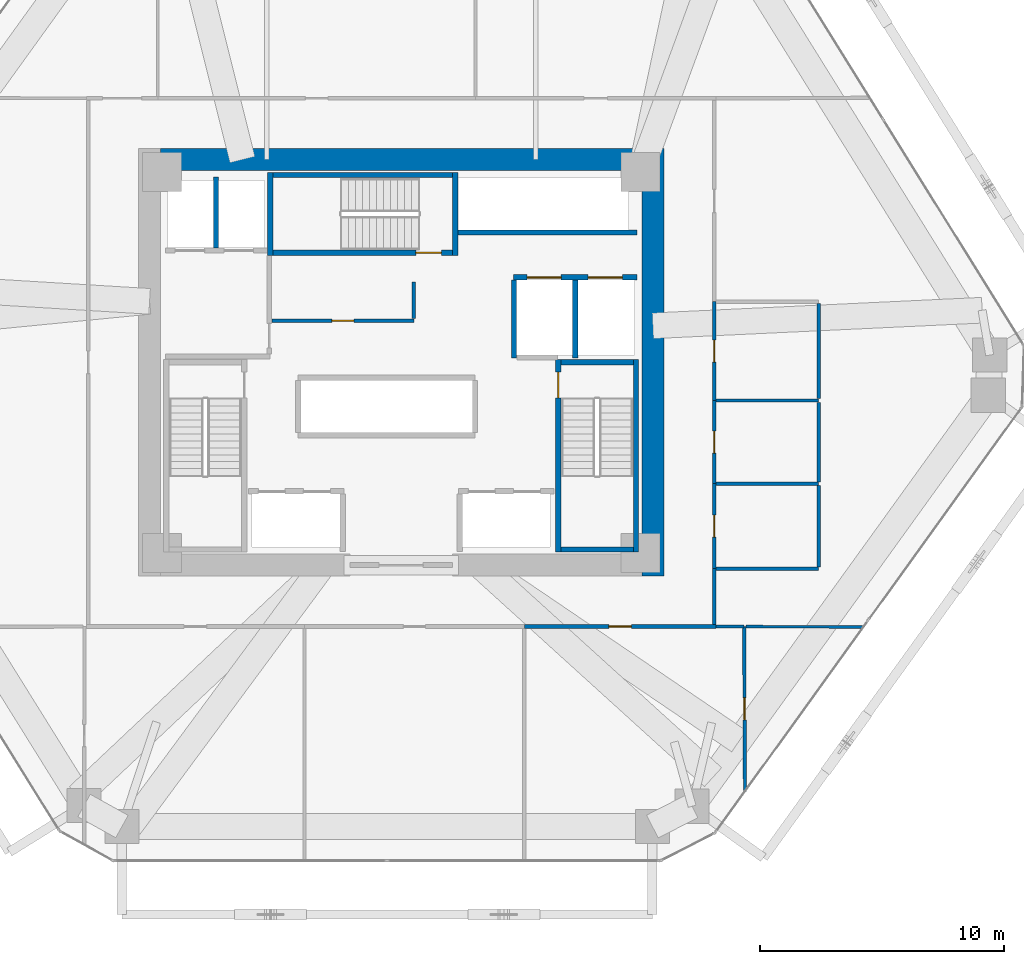
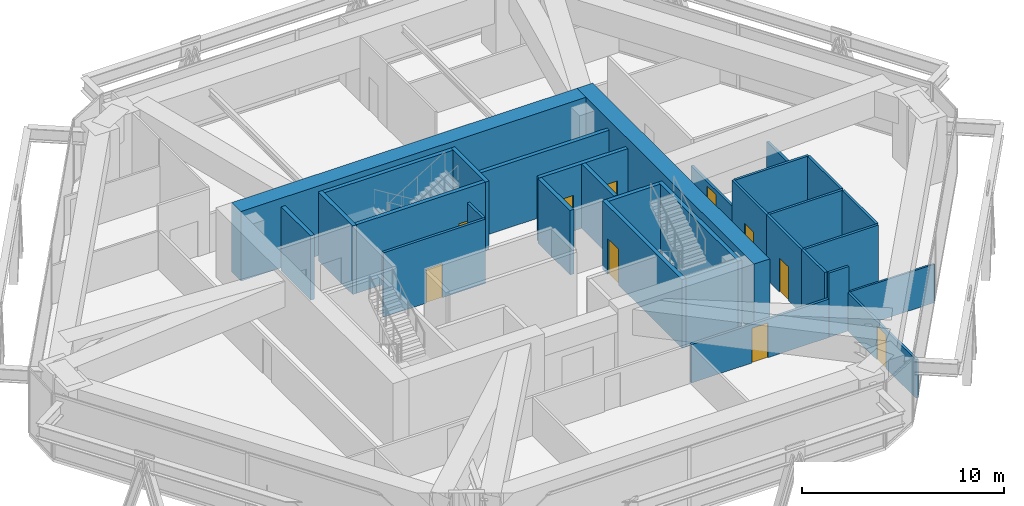
# One storey, part 14 of 16: 31 walls, 10 doors, 10 openings.
"""IFC4 building model written with IfcOpenShell, lengths in metres."""

from ifc_helpers import new_model, si_unit, direction, frame, frame_2d, origin, place, context, subcontext, project, spatial, rectangle, extrude, source, transform, mapped, material, layer, layer_set, type_object, type_shapes, element, fill, save


model = new_model("IFC4")

# Units and contexts
model_context = context("Model", 3, precision=1e-05, world=origin(), true_north=direction((0.0, 1.0)))
body_context = subcontext(model_context, "Body", "Model", "MODEL_VIEW")
ifc_project = project(units=[si_unit("LENGTHUNIT", "METRE"), si_unit("AREAUNIT", "SQUARE_METRE"), si_unit("VOLUMEUNIT", "CUBIC_METRE"), si_unit("PLANEANGLEUNIT", "RADIAN"), si_unit("MASSUNIT", "GRAM", prefix="KILO")], contexts=[model_context])

# Site, building, storey
site_placement = place(None, origin())
site = spatial("IfcSite", under=ifc_project, at=site_placement, CompositionType="ELEMENT")
building_placement = place(site_placement, origin())
building = spatial("IfcBuilding", under=site, at=building_placement, Name="Durnholm Broadcast Tower", CompositionType="ELEMENT")
storey_placement = place(building_placement, frame((0.0, 0.0, 84.300048828125)))
storey = spatial("IfcBuildingStorey", under=building, at=storey_placement, Name="L22", CompositionType="ELEMENT", Elevation=84.300048828125)

# Walls
ifc_material_1 = material(Name="Concrete C70/85", Category="concrete")
ifc_layer_1 = layer(ifc_material_1, 0.89990234375)
ifc_layer_set_1 = layer_set([ifc_layer_1], Name="Concrete C70/85")
wall_type_1 = type_object("IfcWallType", Name="WALL-CW-900", PredefinedType="SHEAR", material=ifc_layer_set_1)
wall_1_placement = place(storey_placement, frame((10.300048828125, -8.75, 0.0), z_axis=(0.0, 0.0, 1.0), x_axis=(0.0, 1.0, 0.0)))
element("IfcWall", 1, at=wall_1_placement, inside=storey, type_object=wall_type_1, Name="L22 central core shear wall CW-EAST", PredefinedType="SHEAR", context=body_context, shape_type="SweptSolid", body=[
    extrude(rectangle(XDim=17.5, YDim=0.89990234375, at=frame_2d((8.75, 0.0))), origin(), (0.0, 0.0, 1.0), 4.199951171875),
])
wall_2_placement = place(storey_placement, frame((-9.85009765625, 8.300048828125, 0.0), z_axis=(0.0, 0.0, 1.0), x_axis=(1.0, 0.0, 0.0)))
element("IfcWall", 2, at=wall_2_placement, inside=storey, type_object=wall_type_1, Name="L22 central core shear wall CW-N", PredefinedType="SHEAR", context=body_context, shape_type="SweptSolid", body=[
    extrude(rectangle(XDim=19.7001953125, YDim=0.89990234375, at=frame_2d((9.85009765625, 0.0))), origin(), (0.0, 0.0, 1.0), 4.199951171875),
])
ifc_material_2 = material(Name="Operable Acoustic Panel Partition", Category="aluminium")
ifc_layer_2 = layer(ifc_material_2, 0.110107421875)
ifc_layer_set_2 = layer_set([ifc_layer_2], Name="Operable Acoustic Panel Partition")
wall_type_2 = type_object("IfcWallType", Name="WALL-MOV-110", PredefinedType="MOVABLE", material=ifc_layer_set_2)
wall_3_placement = place(storey_placement, frame((14.111572265625, -10.810791015625, 0.0), z_axis=(0.0, 0.0, 1.0), x_axis=(0.999988860545, -0.004720040808, 0.0)))
element("IfcWall", 3, at=wall_3_placement, inside=storey, type_object=wall_type_2, Name="L22 room dividing partition 14.16", PredefinedType="MOVABLE", context=body_context, shape_type="SweptSolid", body=[
    extrude(rectangle(XDim=4.810302734375, YDim=0.110107421875, at=frame_2d((2.4052734375, 0.0))), origin(), (0.0, 0.0, 1.0), 2.320068359375),
])

# Wall, opening, door
ifc_material_3 = material(Name="Gypsum Metal Stud Partition", Category="concrete")
ifc_layer_3 = layer(ifc_material_3, 0.135009765625)
ifc_layer_set_3 = layer_set([ifc_layer_3], Name="Gypsum Metal Stud Partition")
wall_type_3 = type_object("IfcWallType", Name="WALL-PART-135", PredefinedType="PARTITIONING", material=ifc_layer_set_3)
wall_4_placement = place(storey_placement, frame((14.0400390625, -10.81005859375, 0.0), z_axis=(0.0, 0.0, 1.0), x_axis=(0.004810766872, -0.999988428194, 0.0)))
wall_4 = element("IfcWall", 4, at=wall_4_placement, inside=storey, type_object=wall_type_3, Name="L22 room dividing partition 13.14", PredefinedType="PARTITIONING", context=body_context, shape_type="SweptSolid", body=[
    extrude(rectangle(XDim=6.74951171875, YDim=0.135009765625, at=frame_2d((3.374755859375, 0.0))), origin(), (0.0, 0.0, 1.0), 2.320068359375),
])
opening_1_placement = place(wall_4_placement, frame((2.9248046875, 0.0, 0.0)))
opening_1 = element("IfcOpeningElement", 5, at=opening_1_placement, cuts=wall_4, Name="Opening DW-90L", PredefinedType="OPENING", context=body_context, shape_type="SweptSolid", body=[
    extrude(rectangle(XDim=0.89990234375, YDim=2.050048828125, at=frame_2d((0.449951171875, 1.02490234375))), frame((0.0, 0.07763671875, 0.0), z_axis=(0.0, -1.0, 0.0), x_axis=(1.0, 0.0, 0.0)), (0.0, 0.0, 1.0), 0.155029296875),
])
ifc_material_4 = material(Name="Laminate Restroom Door", Category="steel")
ifc_layer_4 = layer(ifc_material_4, 0.050048828125)
ifc_layer_set_4 = layer_set([ifc_layer_4], Name="Laminate Restroom Door")
door_type_1 = type_object("IfcDoorType", Name="DOOR-WC-900L", OperationType="NOTDEFINED", PredefinedType="DOOR", material=ifc_layer_set_4)
shared_shape_1 = source(origin(), body_context, "Body", "SweptSolid", [
    extrude(rectangle(XDim=0.89990234375, YDim=2.050048828125, at=frame_2d((0.449951171875, 1.02490234375))), frame((0.0, 0.02490234375, 0.0), z_axis=(0.0, -1.0, 0.0), x_axis=(1.0, 0.0, 0.0)), (0.0, 0.0, 1.0), 0.050048828125),
])
type_shapes(door_type_1, [shared_shape_1])
door_1_placement = place(opening_1_placement, origin())
door_1 = element("IfcDoor", 6, at=door_1_placement, inside=storey, type_object=door_type_1, Name="L22 Remote Feed Meeting Room connecting door", OperationType="SINGLE_SWING_LEFT", OverallHeight=2.050048828125, OverallWidth=0.89990234375, PredefinedType="DOOR", context=body_context, shape_type="MappedRepresentation", body=[
    mapped(shared_shape_1, transform((0.0, 0.0, 0.0), x_axis=(1.0, 0.0, 0.0), y_axis=(0.0, 1.0, 0.0), z_axis=(0.0, 0.0, 1.0), scale=1.0)),
])
fill(opening_1, door_1)

# Wall
wall_5_placement = place(storey_placement, frame((12.889892578125, -10.81005859375, 0.0), z_axis=(0.0, 0.0, 1.0), x_axis=(1.0, 0.0, 0.0)))
element("IfcWall", 7, at=wall_5_placement, inside=storey, type_object=wall_type_3, Name="L22 room dividing partition 13.16", PredefinedType="PARTITIONING", context=body_context, shape_type="SweptSolid", body=[
    extrude(rectangle(XDim=1.150146484375, YDim=0.135009765625, at=frame_2d((0.5751953125, 0.0))), origin(), (0.0, 0.0, 1.0), 3.885009765625),
])

# Wall, opening, door
ifc_material_5 = material(Name="Acoustic Gypsum Stud Partition", Category="concrete")
ifc_layer_5 = layer(ifc_material_5, 0.14990234375)
ifc_layer_set_5 = layer_set([ifc_layer_5], Name="Acoustic Gypsum Stud Partition")
wall_type_4 = type_object("IfcWallType", Name="WALL-PART-150", PredefinedType="PARTITIONING", material=ifc_layer_set_5)
wall_6_placement = place(storey_placement, frame((0.52001953125, 1.7099609375, 0.0), z_axis=(0.0, 0.0, 1.0), x_axis=(-1.0, 0.0, 0.0)))
wall_6 = element("IfcWall", 8, at=wall_6_placement, inside=storey, type_object=wall_type_4, Name="L22 Core Housekeeping Room corridor partition", PredefinedType="PARTITIONING", context=body_context, shape_type="SweptSolid", body=[
    extrude(rectangle(XDim=5.81591796875, YDim=0.14990234375, at=frame_2d((2.907958984375, 0.0))), origin(), (0.0, 0.0, 1.0), 3.885009765625),
])
opening_2_placement = place(wall_6_placement, frame((2.4580078125, 0.0, 0.0)))
opening_2 = element("IfcOpeningElement", 9, at=opening_2_placement, cuts=wall_6, Name="Opening DC-60R", PredefinedType="OPENING", context=body_context, shape_type="SweptSolid", body=[
    extrude(rectangle(XDim=0.89990234375, YDim=2.050048828125, at=frame_2d((0.449951171875, 1.02490234375))), frame((0.0, 0.0849609375, 0.0), z_axis=(0.0, -1.0, 0.0), x_axis=(1.0, 0.0, 0.0)), (0.0, 0.0, 1.0), 0.169921875),
])
ifc_material_6 = material(Name="Fire-Rated Core Service Door", Category="steel")
ifc_layer_6 = layer(ifc_material_6, 0.050048828125)
ifc_layer_set_6 = layer_set([ifc_layer_6], Name="Fire-Rated Core Service Door")
door_type_2 = type_object("IfcDoorType", Name="DOOR-CORE-FD60-R", OperationType="NOTDEFINED", PredefinedType="DOOR", material=ifc_layer_set_6)
shared_shape_2 = source(origin(), body_context, "Body", "SweptSolid", [
    extrude(rectangle(XDim=0.89990234375, YDim=2.050048828125, at=frame_2d((0.449951171875, 1.02490234375))), frame((0.0, 0.02490234375, 0.0), z_axis=(0.0, -1.0, 0.0), x_axis=(1.0, 0.0, 0.0)), (0.0, 0.0, 1.0), 0.050048828125),
])
type_shapes(door_type_2, [shared_shape_2])
door_2_placement = place(opening_2_placement, origin())
door_2 = element("IfcDoor", 10, at=door_2_placement, inside=storey, type_object=door_type_2, Name="L22 Core Housekeeping Room entrance door", OperationType="SINGLE_SWING_RIGHT", OverallHeight=2.050048828125, OverallWidth=0.89990234375, PredefinedType="DOOR", context=body_context, shape_type="MappedRepresentation", body=[
    mapped(shared_shape_2, transform((0.0, 0.0, 0.0), x_axis=(1.0, 0.0, 0.0), y_axis=(0.0, 1.0, 0.0), z_axis=(0.0, 0.0, 1.0), scale=1.0)),
])
fill(opening_2, door_2)

# Wall
wall_7_placement = place(storey_placement, frame((0.52001953125, 3.300048828125, 0.0), z_axis=(0.0, 0.0, 1.0), x_axis=(0.0, -1.0, 0.0)))
element("IfcWall", 11, at=wall_7_placement, inside=storey, type_object=wall_type_4, Name="L22 Core Housekeeping Room corridor partition", PredefinedType="PARTITIONING", context=body_context, shape_type="SweptSolid", body=[
    extrude(rectangle(XDim=1.510986328125, YDim=0.14990234375, at=frame_2d((0.75537109375, 0.0))), origin(), (0.0, 0.0, 1.0), 3.885009765625),
])

# Wall, opening, door
wall_8_placement = place(storey_placement, frame((5.0400390625, -10.81005859375, 0.0), z_axis=(0.0, 0.0, 1.0), x_axis=(1.0, 0.0, 0.0)))
wall_8 = element("IfcWall", 12, at=wall_8_placement, inside=storey, type_object=wall_type_4, Name="L22 Open Plan Broadcast Workspace 4 corridor partition", PredefinedType="PARTITIONING", context=body_context, shape_type="SweptSolid", body=[
    extrude(rectangle(XDim=7.849853515625, YDim=0.14990234375, at=frame_2d((3.9248046875, 0.0))), origin(), (0.0, 0.0, 1.0), 2.320068359375),
])
opening_3_placement = place(wall_8_placement, frame((3.465087890625, 0.0, 0.0)))
opening_3 = element("IfcOpeningElement", 13, at=opening_3_placement, cuts=wall_8, Name="Opening DR-92L", PredefinedType="OPENING", context=body_context, shape_type="SweptSolid", body=[
    extrude(rectangle(XDim=0.919921875, YDim=2.10009765625, at=frame_2d((0.4599609375, 1.050048828125))), frame((0.0, 0.0849609375, 0.0), z_axis=(0.0, -1.0, 0.0), x_axis=(1.0, 0.0, 0.0)), (0.0, 0.0, 1.0), 0.169921875),
])
ifc_material_7 = material(Name="Oak Veneer Office Door", Category="wood")
ifc_layer_7 = layer(ifc_material_7, 0.050048828125)
ifc_layer_set_7 = layer_set([ifc_layer_7], Name="Oak Veneer Office Door")
door_type_3 = type_object("IfcDoorType", Name="DOOR-RM-920L", OperationType="NOTDEFINED", PredefinedType="DOOR", material=ifc_layer_set_7)
shared_shape_3 = source(origin(), body_context, "Body", "SweptSolid", [
    extrude(rectangle(XDim=0.919921875, YDim=2.10009765625, at=frame_2d((0.4599609375, 1.050048828125))), frame((0.0, 0.02490234375, 0.0), z_axis=(0.0, -1.0, 0.0), x_axis=(1.0, 0.0, 0.0)), (0.0, 0.0, 1.0), 0.050048828125),
])
type_shapes(door_type_3, [shared_shape_3])
door_3_placement = place(opening_3_placement, origin())
door_3 = element("IfcDoor", 14, at=door_3_placement, inside=storey, type_object=door_type_3, Name="L22 Open Plan Broadcast Workspace 4 entrance door", OperationType="SINGLE_SWING_LEFT", OverallHeight=2.10009765625, OverallWidth=0.919921875, PredefinedType="DOOR", context=body_context, shape_type="MappedRepresentation", body=[
    mapped(shared_shape_3, transform((0.0, 0.0, 0.0), x_axis=(1.0, 0.0, 0.0), y_axis=(0.0, 1.0, 0.0), z_axis=(0.0, 0.0, 1.0), scale=1.0)),
])
fill(opening_3, door_3)

# Walls
wall_9_placement = place(storey_placement, frame((12.81005859375, -10.73095703125, 0.0), z_axis=(0.0, 0.0, 1.0), x_axis=(0.0, 1.0, 0.0)))
element("IfcWall", 15, at=wall_9_placement, inside=storey, type_object=wall_type_4, Name="L22 Press Lounge corridor partition", PredefinedType="PARTITIONING", context=body_context, shape_type="SweptSolid", body=[
    extrude(rectangle(XDim=2.291015625, YDim=0.14990234375, at=frame_2d((1.1455078125, 0.0))), origin(), (0.0, 0.0, 1.0), 3.885009765625),
])
ifc_material_8 = material(Name="Concrete Blockwork C30/37", Category="masonry")
ifc_layer_8 = layer(ifc_material_8, 0.219970703125)
ifc_layer_set_8 = layer_set([ifc_layer_8], Name="Concrete Blockwork C30/37")
wall_type_5 = type_object("IfcWallType", Name="WALL-SHAFT-220", PredefinedType="SOLIDWALL", material=ifc_layer_set_8)
wall_10_placement = place(storey_placement, frame((-7.580078125, 4.694091796875, 0.0), z_axis=(0.0, 0.0, 1.0), x_axis=(0.0, 1.0, 0.0)))
element("IfcWall", 16, at=wall_10_placement, inside=storey, type_object=wall_type_5, Name="L22 FSAE shaft divider wall", PredefinedType="SOLIDWALL", context=body_context, shape_type="SweptSolid", body=[
    extrude(rectangle(XDim=2.906005859375, YDim=0.219970703125, at=frame_2d((1.453125, 0.0))), origin(), (0.0, 0.0, 1.0), 3.885009765625),
])

# Wall, openings, doors
wall_11_placement = place(storey_placement, frame((4.60009765625, 3.47998046875, 0.0), z_axis=(0.0, 0.0, 1.0), x_axis=(1.0, 0.0, 0.0)))
wall_11 = element("IfcWall", 17, at=wall_11_placement, inside=storey, type_object=wall_type_5, Name="L22 freight service lifts north front wall", PredefinedType="SOLIDWALL", context=body_context, shape_type="SweptSolid", body=[
    extrude(rectangle(XDim=5.0498046875, YDim=0.219970703125, at=frame_2d((2.52490234375, 0.0))), origin(), (0.0, 0.0, 1.0), 3.885009765625),
])
opening_4_placement = place(wall_11_placement, frame((0.550048828125, 0.0, 0.0)))
opening_4 = element("IfcOpeningElement", 18, at=opening_4_placement, cuts=wall_11, Name="Opening LD-SVL-2", PredefinedType="OPENING", context=body_context, shape_type="SweptSolid", body=[
    extrude(rectangle(XDim=1.39990234375, YDim=2.14990234375, at=frame_2d((0.699951171875, 1.074951171875))), frame((0.0, 0.1201171875, 0.0), z_axis=(0.0, -1.0, 0.0), x_axis=(1.0, 0.0, 0.0)), (0.0, 0.0, 1.0), 0.239990234375),
])
opening_5_placement = place(wall_11_placement, frame((3.050048828125, 0.0, 0.0)))
opening_5 = element("IfcOpeningElement", 19, at=opening_5_placement, cuts=wall_11, Name="Opening LD-SVL-1", PredefinedType="OPENING", context=body_context, shape_type="SweptSolid", body=[
    extrude(rectangle(XDim=1.39990234375, YDim=2.14990234375, at=frame_2d((0.699951171875, 1.074951171875))), frame((0.0, 0.1201171875, 0.0), z_axis=(0.0, -1.0, 0.0), x_axis=(1.0, 0.0, 0.0)), (0.0, 0.0, 1.0), 0.239990234375),
])
ifc_material_9 = material(Name="Freight Elevator Bi-Parting Sliding Landing Door", Category="steel")
ifc_layer_9 = layer(ifc_material_9, 0.050048828125)
ifc_layer_set_9 = layer_set([ifc_layer_9], Name="Freight Elevator Bi-Parting Sliding Landing Door")
door_type_4 = type_object("IfcDoorType", Name="DOOR-LIFT-SVL", OperationType="DOUBLE_DOOR_SLIDING", PredefinedType="DOOR", material=ifc_layer_set_9)
shared_shape_4 = source(origin(), body_context, "Body", "SweptSolid", [
    extrude(rectangle(XDim=1.39990234375, YDim=2.14990234375, at=frame_2d((0.699951171875, 1.074951171875))), frame((0.0, 0.02490234375, 0.0), z_axis=(0.0, -1.0, 0.0), x_axis=(1.0, 0.0, 0.0)), (0.0, 0.0, 1.0), 0.050048828125),
])
type_shapes(door_type_4, [shared_shape_4])
door_4_placement = place(opening_4_placement, origin())
door_4 = element("IfcDoor", 20, at=door_4_placement, inside=storey, type_object=door_type_4, Name="L22 freight service elevator SVL-2 sliding landing door", OperationType="DOUBLE_DOOR_SLIDING", OverallHeight=2.14990234375, OverallWidth=1.39990234375, PredefinedType="DOOR", context=body_context, shape_type="MappedRepresentation", body=[
    mapped(shared_shape_4, transform((0.0, 0.0, 0.0), x_axis=(1.0, 0.0, 0.0), y_axis=(0.0, 1.0, 0.0), z_axis=(0.0, 0.0, 1.0), scale=1.0)),
])
fill(opening_4, door_4)
door_5_placement = place(opening_5_placement, origin())
door_5 = element("IfcDoor", 21, at=door_5_placement, inside=storey, type_object=door_type_4, Name="L22 freight service elevator SVL-1 sliding landing door", OperationType="DOUBLE_DOOR_SLIDING", OverallHeight=2.14990234375, OverallWidth=1.39990234375, PredefinedType="DOOR", context=body_context, shape_type="MappedRepresentation", body=[
    mapped(shared_shape_4, transform((0.0, 0.0, 0.0), x_axis=(1.0, 0.0, 0.0), y_axis=(0.0, 1.0, 0.0), z_axis=(0.0, 0.0, 1.0), scale=1.0)),
])
fill(opening_5, door_5)

# Walls
for number, where, z_axis, x_axis, name in (
    (22, (4.6201171875, 0.179931640625, 0.0), (0.0, 0.0, 1.0), (0.0, 1.0, 0.0), "L22 freight service lift SVL-2 west wall"),
    (23, (7.1201171875, 0.179931640625, 0.0), (0.0, 0.0, 1.0), (0.0, 1.0, 0.0), "L22 freight service lifts divider wall"),
):
    element("IfcWall", number, at=place(storey_placement, frame(where, z_axis=z_axis, x_axis=x_axis)), inside=storey, type_object=wall_type_5, Name=name, PredefinedType="SOLIDWALL", context=body_context, shape_type="SweptSolid", body=[
        extrude(rectangle(XDim=3.18603515625, YDim=0.219970703125, at=frame_2d((1.593017578125, 0.0))), origin(), (0.0, 0.0, 1.0), 3.885009765625),
    ])
wall_12_placement = place(storey_placement, frame((2.324951171875, 5.320068359375, 0.0), z_axis=(0.0, 0.0, 1.0), x_axis=(1.0, 0.0, 0.0)))
element("IfcWall", 24, at=wall_12_placement, inside=storey, type_object=wall_type_5, Name="L22 high-rise bank P3 south front wall", PredefinedType="SOLIDWALL", context=body_context, shape_type="SweptSolid", body=[
    extrude(rectangle(XDim=7.324951171875, YDim=0.219970703125, at=frame_2d((3.66259765625, 0.0))), origin(), (0.0, 0.0, 1.0), 3.885009765625),
])
ifc_material_10 = material(Name="Concrete C50/60", Category="concrete")
ifc_layer_10 = layer(ifc_material_10, 0.219970703125)
ifc_layer_set_10 = layer_set([ifc_layer_10], Name="Concrete C50/60")
wall_type_6 = type_object("IfcWallType", Name="WALL-SW-220", PredefinedType="SHEAR", material=ifc_layer_set_10)
wall_13_placement = place(storey_placement, frame((9.610107421875, -7.77001953125, -0.239990234375), z_axis=(0.0, 0.0, 1.0), x_axis=(0.0, 1.0, 0.0)))
element("IfcWall", 25, at=wall_13_placement, inside=storey, type_object=wall_type_6, Name="L22 stair ST-2 structural shaft wall E", PredefinedType="SHEAR", context=body_context, shape_type="SweptSolid", body=[
    extrude(rectangle(XDim=7.89013671875, YDim=0.219970703125, at=frame_2d((3.945068359375, 0.0))), origin(), (0.0, 0.0, 1.0), 4.139892578125),
])

# Wall, opening, door
wall_14_placement = place(storey_placement, frame((6.429931640625, 0.1201171875, -0.239990234375), z_axis=(0.0, 0.0, 1.0), x_axis=(0.0, -1.0, 0.0)))
wall_14 = element("IfcWall", 26, at=wall_14_placement, inside=storey, type_object=wall_type_6, Name="L22 stair ST-2 structural shaft wall W", PredefinedType="SHEAR", context=body_context, shape_type="SweptSolid", body=[
    extrude(rectangle(XDim=7.89013671875, YDim=0.219970703125, at=frame_2d((3.945068359375, 0.0))), origin(), (0.0, 0.0, 1.0), 4.139892578125),
])
opening_6_placement = place(wall_14_placement, frame((0.52001953125, 0.0, 0.0)))
opening_6 = element("IfcOpeningElement", 27, at=opening_6_placement, cuts=wall_14, Name="Opening DS-90R", PredefinedType="OPENING", context=body_context, shape_type="SweptSolid", body=[
    extrude(rectangle(XDim=1.050048828125, YDim=2.14990234375, at=frame_2d((0.52490234375, 1.074951171875))), frame((0.0, 0.1201171875, 0.0), z_axis=(0.0, -1.0, 0.0), x_axis=(1.0, 0.0, 0.0)), (0.0, 0.0, 1.0), 0.239990234375),
])
ifc_material_11 = material(Name="Fire-Rated Steel Door", Category="steel")
ifc_layer_11 = layer(ifc_material_11, 0.050048828125)
ifc_layer_set_11 = layer_set([ifc_layer_11], Name="Fire-Rated Steel Door")
door_type_5 = type_object("IfcDoorType", Name="DOOR-ST-FD90-R", OperationType="NOTDEFINED", PredefinedType="DOOR", material=ifc_layer_set_11)
shared_shape_5 = source(origin(), body_context, "Body", "SweptSolid", [
    extrude(rectangle(XDim=1.050048828125, YDim=2.14990234375, at=frame_2d((0.52490234375, 1.074951171875))), frame((0.0, 0.02490234375, 0.0), z_axis=(0.0, -1.0, 0.0), x_axis=(1.0, 0.0, 0.0)), (0.0, 0.0, 1.0), 0.050048828125),
])
type_shapes(door_type_5, [shared_shape_5])
door_6_placement = place(opening_6_placement, origin())
door_6 = element("IfcDoor", 28, at=door_6_placement, inside=storey, type_object=door_type_5, Name="L22 exit stair ST-2 fire door", OperationType="SINGLE_SWING_RIGHT", OverallHeight=2.14990234375, OverallWidth=1.050048828125, PredefinedType="DOOR", context=body_context, shape_type="MappedRepresentation", body=[
    mapped(shared_shape_5, transform((0.0, 0.0, 0.0), x_axis=(1.0, 0.0, 0.0), y_axis=(0.0, 1.0, 0.0), z_axis=(0.0, 0.0, 1.0), scale=1.0)),
])
fill(opening_6, door_6)

# Walls
for number, where, z_axis, x_axis, name in (
    (29, (6.5400390625, -7.659912109375, -0.239990234375), (0.0, 0.0, 1.0), (1.0, 0.0, 0.0), "L22 stair ST-2 structural shaft wall S"),
    (30, (9.5, 0.010009765625, -0.239990234375), (0.0, 0.0, 1.0), (-1.0, 0.0, 0.0), "L22 stair ST-2 structural shaft wall N"),
):
    element("IfcWall", number, at=place(storey_placement, frame(where, z_axis=z_axis, x_axis=x_axis)), inside=storey, type_object=wall_type_6, Name=name, PredefinedType="SHEAR", context=body_context, shape_type="SweptSolid", body=[
        extrude(rectangle(XDim=2.9599609375, YDim=0.219970703125, at=frame_2d((1.47998046875, 0.0))), origin(), (0.0, 0.0, 1.0), 4.139892578125),
    ])
for number, where, z_axis, x_axis, name in (
    (31, (2.2099609375, 4.3798828125, -0.239990234375), (0.0, 0.0, 1.0), (0.0, 1.0, 0.0), "L22 stair ST-3 structural shaft wall E"),
    (32, (-5.360107421875, 7.780029296875, -0.239990234375), (0.0, 0.0, 1.0), (0.0, -1.0, 0.0), "L22 stair ST-3 structural shaft wall W"),
):
    element("IfcWall", number, at=place(storey_placement, frame(where, z_axis=z_axis, x_axis=x_axis)), inside=storey, type_object=wall_type_6, Name=name, PredefinedType="SHEAR", context=body_context, shape_type="SweptSolid", body=[
        extrude(rectangle(XDim=3.400146484375, YDim=0.219970703125, at=frame_2d((1.7001953125, 0.0))), origin(), (0.0, 0.0, 1.0), 4.139892578125),
    ])

# Wall, opening, door
wall_15_placement = place(storey_placement, frame((-5.25, 4.489990234375, -0.239990234375), z_axis=(0.0, 0.0, 1.0), x_axis=(1.0, 0.0, 0.0)))
wall_15 = element("IfcWall", 33, at=wall_15_placement, inside=storey, type_object=wall_type_6, Name="L22 stair ST-3 structural shaft wall S", PredefinedType="SHEAR", context=body_context, shape_type="SweptSolid", body=[
    extrude(rectangle(XDim=7.35009765625, YDim=0.219970703125, at=frame_2d((3.675048828125, 0.0))), origin(), (0.0, 0.0, 1.0), 4.139892578125),
])
opening_7_placement = place(wall_15_placement, frame((5.85009765625, 0.0, 0.0)))
opening_7 = element("IfcOpeningElement", 34, at=opening_7_placement, cuts=wall_15, Name="Opening DS-90L", PredefinedType="OPENING", context=body_context, shape_type="SweptSolid", body=[
    extrude(rectangle(XDim=1.050048828125, YDim=2.14990234375, at=frame_2d((0.52490234375, 1.074951171875))), frame((0.0, 0.1201171875, 0.0), z_axis=(0.0, -1.0, 0.0), x_axis=(1.0, 0.0, 0.0)), (0.0, 0.0, 1.0), 0.239990234375),
])
ifc_layer_12 = layer(ifc_material_11, 0.050048828125)
ifc_layer_set_12 = layer_set([ifc_layer_12], Name="Fire-Rated Steel Door")
door_type_6 = type_object("IfcDoorType", Name="DOOR-ST-FD90-L", OperationType="NOTDEFINED", PredefinedType="DOOR", material=ifc_layer_set_12)
shared_shape_6 = source(origin(), body_context, "Body", "SweptSolid", [
    extrude(rectangle(XDim=1.050048828125, YDim=2.14990234375, at=frame_2d((0.52490234375, 1.074951171875))), frame((0.0, 0.02490234375, 0.0), z_axis=(0.0, -1.0, 0.0), x_axis=(1.0, 0.0, 0.0)), (0.0, 0.0, 1.0), 0.050048828125),
])
type_shapes(door_type_6, [shared_shape_6])
door_7_placement = place(opening_7_placement, origin())
door_7 = element("IfcDoor", 35, at=door_7_placement, inside=storey, type_object=door_type_6, Name="L22 exit stair ST-3 fire door", OperationType="SINGLE_SWING_LEFT", OverallHeight=2.14990234375, OverallWidth=1.050048828125, PredefinedType="DOOR", context=body_context, shape_type="MappedRepresentation", body=[
    mapped(shared_shape_6, transform((0.0, 0.0, 0.0), x_axis=(1.0, 0.0, 0.0), y_axis=(0.0, 1.0, 0.0), z_axis=(0.0, 0.0, 1.0), scale=1.0)),
])
fill(opening_7, door_7)

# Wall
wall_16_placement = place(storey_placement, frame((2.10009765625, 7.669921875, -0.239990234375), z_axis=(0.0, 0.0, 1.0), x_axis=(-1.0, 0.0, 0.0)))
element("IfcWall", 36, at=wall_16_placement, inside=storey, type_object=wall_type_6, Name="L22 stair ST-3 structural shaft wall N", PredefinedType="SHEAR", context=body_context, shape_type="SweptSolid", body=[
    extrude(rectangle(XDim=7.35009765625, YDim=0.219970703125, at=frame_2d((3.675048828125, 0.0))), origin(), (0.0, 0.0, 1.0), 4.139892578125),
])

# Wall, opening, door
ifc_material_12 = material(Name="Moisture-Resistant Tile Partition", Category="concrete")
ifc_layer_13 = layer(ifc_material_12, 0.139892578125)
ifc_layer_set_13 = layer_set([ifc_layer_13], Name="Moisture-Resistant Tile Partition")
wall_type_7 = type_object("IfcWallType", Name="WALL-WC-140", PredefinedType="PARTITIONING", material=ifc_layer_set_13)
wall_17_placement = place(storey_placement, frame((12.81005859375, -8.43994140625, 0.0), z_axis=(0.0, 0.0, 1.0), x_axis=(0.0, 1.0, 0.0)))
wall_17 = element("IfcWall", 37, at=wall_17_placement, inside=storey, type_object=wall_type_7, Name="L22 Men's Restroom corridor partition", PredefinedType="PARTITIONING", context=body_context, shape_type="SweptSolid", body=[
    extrude(rectangle(XDim=3.47998046875, YDim=0.139892578125, at=frame_2d((1.739990234375, 0.0))), origin(), (0.0, 0.0, 1.0), 3.885009765625),
])
opening_8_placement = place(wall_17_placement, frame((1.2900390625, 0.0, 0.0)))
opening_8 = element("IfcOpeningElement", 38, at=opening_8_placement, cuts=wall_17, Name="Opening DW-90L", PredefinedType="OPENING", context=body_context, shape_type="SweptSolid", body=[
    extrude(rectangle(XDim=0.89990234375, YDim=2.050048828125, at=frame_2d((0.449951171875, 1.02490234375))), frame((0.0, 0.080078125, 0.0), z_axis=(0.0, -1.0, 0.0), x_axis=(1.0, 0.0, 0.0)), (0.0, 0.0, 1.0), 0.159912109375),
])
door_8_placement = place(opening_8_placement, origin())
door_8 = element("IfcDoor", 39, at=door_8_placement, inside=storey, type_object=door_type_1, Name="L22 Men's Restroom entrance door", OperationType="SINGLE_SWING_LEFT", OverallHeight=2.050048828125, OverallWidth=0.89990234375, PredefinedType="DOOR", context=body_context, shape_type="MappedRepresentation", body=[
    mapped(shared_shape_1, transform((0.0, 0.0, 0.0), x_axis=(1.0, 0.0, 0.0), y_axis=(0.0, 1.0, 0.0), z_axis=(0.0, 0.0, 1.0), scale=1.0)),
])
fill(opening_8, door_8)

wall_18_placement = place(storey_placement, frame((12.81005859375, -4.9599609375, 0.0), z_axis=(0.0, 0.0, 1.0), x_axis=(0.0, 1.0, 0.0)))
wall_18 = element("IfcWall", 40, at=wall_18_placement, inside=storey, type_object=wall_type_7, Name="L22 Women's Restroom corridor partition", PredefinedType="PARTITIONING", context=body_context, shape_type="SweptSolid", body=[
    extrude(rectangle(XDim=3.39990234375, YDim=0.139892578125, at=frame_2d((1.699951171875, 0.0))), origin(), (0.0, 0.0, 1.0), 3.885009765625),
])
opening_9_placement = place(wall_18_placement, frame((1.25, 0.0, 0.0)))
opening_9 = element("IfcOpeningElement", 41, at=opening_9_placement, cuts=wall_18, Name="Opening DW-90R", PredefinedType="OPENING", context=body_context, shape_type="SweptSolid", body=[
    extrude(rectangle(XDim=0.89990234375, YDim=2.050048828125, at=frame_2d((0.449951171875, 1.02490234375))), frame((0.0, 0.080078125, 0.0), z_axis=(0.0, -1.0, 0.0), x_axis=(1.0, 0.0, 0.0)), (0.0, 0.0, 1.0), 0.159912109375),
])
ifc_layer_14 = layer(ifc_material_4, 0.050048828125)
ifc_layer_set_14 = layer_set([ifc_layer_14], Name="Laminate Restroom Door")
door_type_7 = type_object("IfcDoorType", Name="DOOR-WC-900R", OperationType="NOTDEFINED", PredefinedType="DOOR", material=ifc_layer_set_14)
shared_shape_7 = source(origin(), body_context, "Body", "SweptSolid", [
    extrude(rectangle(XDim=0.89990234375, YDim=2.050048828125, at=frame_2d((0.449951171875, 1.02490234375))), frame((0.0, 0.02490234375, 0.0), z_axis=(0.0, -1.0, 0.0), x_axis=(1.0, 0.0, 0.0)), (0.0, 0.0, 1.0), 0.050048828125),
])
type_shapes(door_type_7, [shared_shape_7])
door_9_placement = place(opening_9_placement, origin())
door_9 = element("IfcDoor", 42, at=door_9_placement, inside=storey, type_object=door_type_7, Name="L22 Women's Restroom entrance door", OperationType="SINGLE_SWING_RIGHT", OverallHeight=2.050048828125, OverallWidth=0.89990234375, PredefinedType="DOOR", context=body_context, shape_type="MappedRepresentation", body=[
    mapped(shared_shape_7, transform((0.0, 0.0, 0.0), x_axis=(1.0, 0.0, 0.0), y_axis=(0.0, 1.0, 0.0), z_axis=(0.0, 0.0, 1.0), scale=1.0)),
])
fill(opening_9, door_9)

wall_19_placement = place(storey_placement, frame((12.81005859375, -1.56005859375, 0.0), z_axis=(0.0, 0.0, 1.0), x_axis=(0.0, 1.0, 0.0)))
wall_19 = element("IfcWall", 43, at=wall_19_placement, inside=storey, type_object=wall_type_7, Name="L22 Accessible Restroom corridor partition", PredefinedType="PARTITIONING", context=body_context, shape_type="SweptSolid", body=[
    extrude(rectangle(XDim=4.050048828125, YDim=0.139892578125, at=frame_2d((2.02490234375, 0.0))), origin(), (0.0, 0.0, 1.0), 2.320068359375),
])
opening_10_placement = place(wall_19_placement, frame((1.574951171875, 0.0, 0.0)))
opening_10 = element("IfcOpeningElement", 44, at=opening_10_placement, cuts=wall_19, Name="Opening DW-90L", PredefinedType="OPENING", context=body_context, shape_type="SweptSolid", body=[
    extrude(rectangle(XDim=0.89990234375, YDim=2.050048828125, at=frame_2d((0.449951171875, 1.02490234375))), frame((0.0, 0.080078125, 0.0), z_axis=(0.0, -1.0, 0.0), x_axis=(1.0, 0.0, 0.0)), (0.0, 0.0, 1.0), 0.159912109375),
])
door_10_placement = place(opening_10_placement, origin())
door_10 = element("IfcDoor", 45, at=door_10_placement, inside=storey, type_object=door_type_1, Name="L22 Accessible Restroom entrance door", OperationType="SINGLE_SWING_LEFT", OverallHeight=2.050048828125, OverallWidth=0.89990234375, PredefinedType="DOOR", context=body_context, shape_type="MappedRepresentation", body=[
    mapped(shared_shape_1, transform((0.0, 0.0, 0.0), x_axis=(1.0, 0.0, 0.0), y_axis=(0.0, 1.0, 0.0), z_axis=(0.0, 0.0, 1.0), scale=1.0)),
])
fill(opening_10, door_10)

# Walls
wall_20_placement = place(storey_placement, frame((12.884033203125, -4.9599609375, 0.0), z_axis=(0.0, 0.0, 1.0), x_axis=(1.0, 0.0, 0.0)))
element("IfcWall", 46, at=wall_20_placement, inside=storey, type_object=wall_type_7, Name="L22 room dividing partition 2.3", PredefinedType="PARTITIONING", context=body_context, shape_type="SweptSolid", body=[
    extrude(rectangle(XDim=4.2060546875, YDim=0.139892578125, at=frame_2d((2.10302734375, 0.0))), origin(), (0.0, 0.0, 1.0), 3.885009765625),
])
wall_21_placement = place(storey_placement, frame((17.090087890625, -8.43994140625, 0.0), z_axis=(0.0, 0.0, 1.0), x_axis=(-1.0, 0.0, 0.0)))
element("IfcWall", 47, at=wall_21_placement, inside=storey, type_object=wall_type_7, Name="L22 room dividing partition 2.16", PredefinedType="PARTITIONING", context=body_context, shape_type="SweptSolid", body=[
    extrude(rectangle(XDim=4.201171875, YDim=0.139892578125, at=frame_2d((2.1005859375, 0.0))), origin(), (0.0, 0.0, 1.0), 3.885009765625),
])
wall_22_placement = place(storey_placement, frame((17.090087890625, -5.033935546875, 0.0), z_axis=(0.0, 0.0, 1.0), x_axis=(0.0, -1.0, 0.0)))
element("IfcWall", 48, at=wall_22_placement, inside=storey, type_object=wall_type_7, Name="L22 room dividing partition 2.16", PredefinedType="PARTITIONING", context=body_context, shape_type="SweptSolid", body=[
    extrude(rectangle(XDim=3.33203125, YDim=0.139892578125, at=frame_2d((1.666015625, 0.0))), origin(), (0.0, 0.0, 1.0), 3.885009765625),
])
wall_23_placement = place(storey_placement, frame((12.884033203125, -1.56005859375, 0.0), z_axis=(0.0, 0.0, 1.0), x_axis=(1.0, 0.0, 0.0)))
element("IfcWall", 49, at=wall_23_placement, inside=storey, type_object=wall_type_7, Name="L22 room dividing partition 3.4", PredefinedType="PARTITIONING", context=body_context, shape_type="SweptSolid", body=[
    extrude(rectangle(XDim=4.2060546875, YDim=0.139892578125, at=frame_2d((2.10302734375, 0.0))), origin(), (0.0, 0.0, 1.0), 3.885009765625),
])
wall_24_placement = place(storey_placement, frame((17.090087890625, -1.634033203125, 0.0), z_axis=(0.0, 0.0, 1.0), x_axis=(0.0, -1.0, 0.0)))
element("IfcWall", 50, at=wall_24_placement, inside=storey, type_object=wall_type_7, Name="L22 room dividing partition 3.16", PredefinedType="PARTITIONING", context=body_context, shape_type="SweptSolid", body=[
    extrude(rectangle(XDim=3.251953125, YDim=0.139892578125, at=frame_2d((1.6259765625, 0.0))), origin(), (0.0, 0.0, 1.0), 3.885009765625),
])
wall_25_placement = place(storey_placement, frame((17.090087890625, 2.416015625, 0.0), z_axis=(0.0, 0.0, 1.0), x_axis=(0.0, -1.0, 0.0)))
element("IfcWall", 51, at=wall_25_placement, inside=storey, type_object=wall_type_7, Name="L22 room dividing partition 4.16", PredefinedType="PARTITIONING", context=body_context, shape_type="SweptSolid", body=[
    extrude(rectangle(XDim=3.902099609375, YDim=0.139892578125, at=frame_2d((1.951171875, 0.0))), origin(), (0.0, 0.0, 1.0), 2.320068359375),
])

save(model, "model.ifc")
